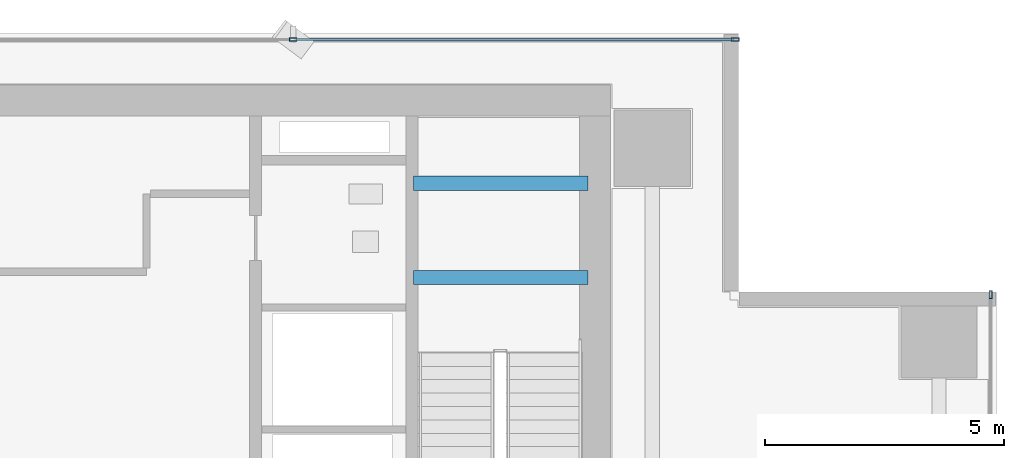
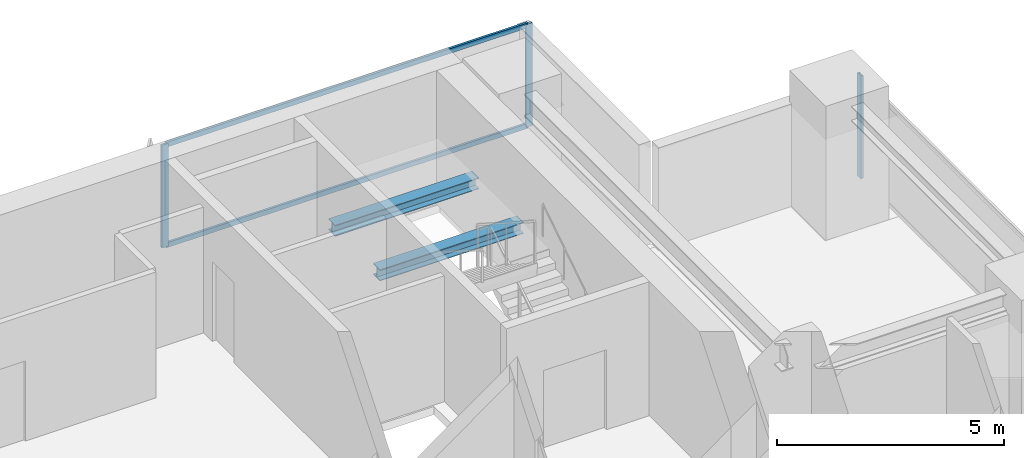
# One storey, part 19 of 28: 5 members, 2 beams, 2 elements without a shape of their own.
"""IFC4 building model written with IfcOpenShell, lengths in metres."""

from ifc_helpers import new_model, si_unit, direction, frame, origin, origin_2d, place, context, subcontext, project, spatial, hollow_rectangle, i_section, extrude, source, transform, mapped, material, layer, layer_set, material_profile, profile_set, type_object, element, aggregate, save


model = new_model("IFC4")

# Units and contexts
model_context = context("Model", 3, precision=1e-05, world=origin(), true_north=direction((0.0, 1.0)))
body_context = subcontext(model_context, "Body", "Model", "MODEL_VIEW")
ifc_project = project(units=[si_unit("LENGTHUNIT", "METRE"), si_unit("AREAUNIT", "SQUARE_METRE"), si_unit("VOLUMEUNIT", "CUBIC_METRE"), si_unit("PLANEANGLEUNIT", "RADIAN"), si_unit("MASSUNIT", "GRAM", prefix="KILO")], contexts=[model_context])

# Site, building, storey
site_placement = place(None, origin())
site = spatial("IfcSite", under=ifc_project, at=site_placement, CompositionType="ELEMENT")
building_placement = place(site_placement, origin())
building = spatial("IfcBuilding", under=site, at=building_placement, Name="Sumidabori Civic Tower", CompositionType="ELEMENT")
storey_placement = place(building_placement, frame((0.0, 0.0, 153.199951171875)))
storey = spatial("IfcBuildingStorey", under=building, at=storey_placement, Name="L39", CompositionType="ELEMENT", Elevation=153.199951171875)

# Beams
ifc_material_1 = material(Name="Steel SN490", Category="steel")
ifc_material_profile_1 = material_profile(ifc_material_1, i_section(OverallWidth=0.300048828125, OverallDepth=0.300048828125, WebThickness=0.010986328125, FlangeThickness=0.01904296875, at=origin_2d()), Name="HE 300 B")
ifc_profile_set_1 = profile_set([ifc_material_profile_1], Name="Steel SN490")
beam_type = type_object("IfcBeamType", Name="BM-LDG-300", PredefinedType="BEAM", material=ifc_profile_set_1)
shared_shape_1 = source(origin(), body_context, "Body", "SweptSolid", [
    extrude(i_section(OverallWidth=0.300048828125, OverallDepth=0.300048828125, WebThickness=0.010986328125, FlangeThickness=0.01904296875, at=origin_2d()), origin(), (0.0, 0.0, 1.0), 3.64990234375),
])
for number, where, z_axis, x_axis, name in (
    (1, (11.800048828125, 20.09765625, 1.449951171875), (1.0, 0.0, 0.0), (0.0, 1.0, 0.0), "Stair ST-2 Landing Support Beam L39-1A"),
    (2, (11.800048828125, 22.069580078125, 1.449951171875), (1.0, 0.0, 0.0), (0.0, 1.0, 0.0), "Stair ST-2 Landing Trimmer Beam L39-1B"),
):
    element("IfcBeam", number, at=place(storey_placement, frame(where, z_axis=z_axis, x_axis=x_axis)), inside=storey, type_object=beam_type, Name=name, PredefinedType="BEAM", context=body_context, shape_type="MappedRepresentation", body=[
        mapped(shared_shape_1, transform((0.0, 0.0, 0.0), x_axis=(1.0, 0.0, 0.0), y_axis=(0.0, 1.0, 0.0), z_axis=(0.0, 0.0, 1.0), scale=1.0)),
    ])

# Curtain wall, member
ifc_material_2 = material(Name="Anodised Bronze Aluminium AW-6063-T6", Category="aluminium")
ifc_layer = layer(ifc_material_2, 0.179931640625, Name="Anodised Bronze Aluminium AW-6063-T6")
ifc_layer_set = layer_set([ifc_layer], Name="Anodised Bronze Aluminium AW-6063-T6")
curtain_wall_type = type_object("IfcCurtainWallType", Name="CW-SYS-3", PredefinedType="NOTDEFINED", material=ifc_layer_set)
curtain_wall_1_placement = place(storey_placement, origin())
curtain_wall_1 = element("IfcCurtainWall", 3, at=curtain_wall_1_placement, inside=storey, type_object=curtain_wall_type, Name="Curtain Wall CW:L39:R04", PredefinedType="NOTDEFINED")
ifc_material_profile_2 = material_profile(ifc_material_2, hollow_rectangle(XDim=0.06494140625, YDim=0.159912109375, WallThickness=0.0048828125, at=origin_2d()), Name="ALU MULLION 160x65")
ifc_profile_set_2 = profile_set([ifc_material_profile_2], Name="Anodised Bronze Aluminium AW-6063-T6")
member_type_1 = type_object("IfcMemberType", Name="CW-MUL-160", PredefinedType="MULLION", material=ifc_profile_set_2)
shared_shape_2 = source(origin(), body_context, "Body", "SweptSolid", [
    extrude(hollow_rectangle(XDim=0.06494140625, YDim=0.159912109375, WallThickness=0.0048828125, at=origin_2d()), origin(), (0.0, 0.0, 1.0), 2.760009765625),
])
member_1_placement = place(storey_placement, frame((23.8798828125, 19.737548828125, 0.0), z_axis=(0.0, 0.0, 1.0), x_axis=(-1.0, 0.0, 0.0)))
member_1 = element("IfcMember", 4, at=member_1_placement, type_object=member_type_1, Name="CW-3 mullion 5", PredefinedType="MULLION", context=body_context, shape_type="MappedRepresentation", body=[
    mapped(shared_shape_2, transform((0.0, 0.0, 0.0), x_axis=(1.0, 0.0, 0.0), y_axis=(0.0, 1.0, 0.0), z_axis=(0.0, 0.0, 1.0), scale=1.0)),
])
aggregate(curtain_wall_1, [member_1])

# Curtain wall, members
curtain_wall_2_placement = place(storey_placement, origin())
curtain_wall_2 = element("IfcCurtainWall", 5, at=curtain_wall_2_placement, inside=storey, type_object=curtain_wall_type, Name="Curtain Wall CW:L39:R07", PredefinedType="NOTDEFINED")
member_2_placement = place(storey_placement, frame((18.53759765625, 25.080078125, 0.0), z_axis=(0.0, 0.0, 1.0), x_axis=(0.0, -1.0, 0.0)))
member_2 = element("IfcMember", 6, at=member_2_placement, type_object=member_type_1, Name="CW-3 mullion 1", PredefinedType="MULLION", context=body_context, shape_type="MappedRepresentation", body=[
    mapped(shared_shape_2, transform((0.0, 0.0, 0.0), x_axis=(1.0, 0.0, 0.0), y_axis=(0.0, 1.0, 0.0), z_axis=(0.0, 0.0, 1.0), scale=1.0)),
])
member_3_placement = place(storey_placement, frame((9.284912109375, 25.080078125, 0.0), z_axis=(0.0, 0.0, 1.0), x_axis=(0.0, -1.0, 0.0)))
member_3 = element("IfcMember", 7, at=member_3_placement, type_object=member_type_1, Name="CW-3 mullion 2", PredefinedType="MULLION", context=body_context, shape_type="MappedRepresentation", body=[
    mapped(shared_shape_2, transform((0.0, 0.0, 0.0), x_axis=(1.0, 0.0, 0.0), y_axis=(0.0, 1.0, 0.0), z_axis=(0.0, 0.0, 1.0), scale=1.0)),
])
ifc_material_profile_3 = material_profile(ifc_material_2, hollow_rectangle(XDim=0.06005859375, YDim=0.1298828125, WallThickness=0.0048828125, at=origin_2d()), Name="ALU TRANSOM 130x60")
ifc_profile_set_3 = profile_set([ifc_material_profile_3], Name="Anodised Bronze Aluminium AW-6063-T6")
member_type_2 = type_object("IfcMemberType", Name="CW-TRN-130", PredefinedType="USERDEFINED", material=ifc_profile_set_3)
shared_shape_3 = source(origin(), body_context, "Body", "SweptSolid", [
    extrude(hollow_rectangle(XDim=0.06005859375, YDim=0.1298828125, WallThickness=0.0048828125, at=origin_2d()), origin(), (0.0, 0.0, 1.0), 9.1875),
])
member_4_placement = place(storey_placement, frame((18.5048828125, 25.080078125, 0.030029296875), z_axis=(-1.0, 0.0, 0.0), x_axis=(0.0, -1.0, 0.0)))
member_4 = element("IfcMember", 8, at=member_4_placement, type_object=member_type_2, Name="CW-3 transom 1.1", ObjectType="TRANSOM", PredefinedType="USERDEFINED", context=body_context, shape_type="MappedRepresentation", body=[
    mapped(shared_shape_3, transform((0.0, 0.0, 0.0), x_axis=(1.0, 0.0, 0.0), y_axis=(0.0, 1.0, 0.0), z_axis=(0.0, 0.0, 1.0), scale=1.0)),
])
member_5_placement = place(storey_placement, frame((18.5048828125, 25.080078125, 2.72998046875), z_axis=(-1.0, 0.0, 0.0), x_axis=(0.0, -1.0, 0.0)))
member_5 = element("IfcMember", 9, at=member_5_placement, type_object=member_type_2, Name="CW-3 transom 1.2", ObjectType="TRANSOM", PredefinedType="USERDEFINED", context=body_context, shape_type="MappedRepresentation", body=[
    mapped(shared_shape_3, transform((0.0, 0.0, 0.0), x_axis=(1.0, 0.0, 0.0), y_axis=(0.0, 1.0, 0.0), z_axis=(0.0, 0.0, 1.0), scale=1.0)),
])
aggregate(curtain_wall_2, [member_2, member_3, member_4, member_5])

save(model, "model.ifc")
